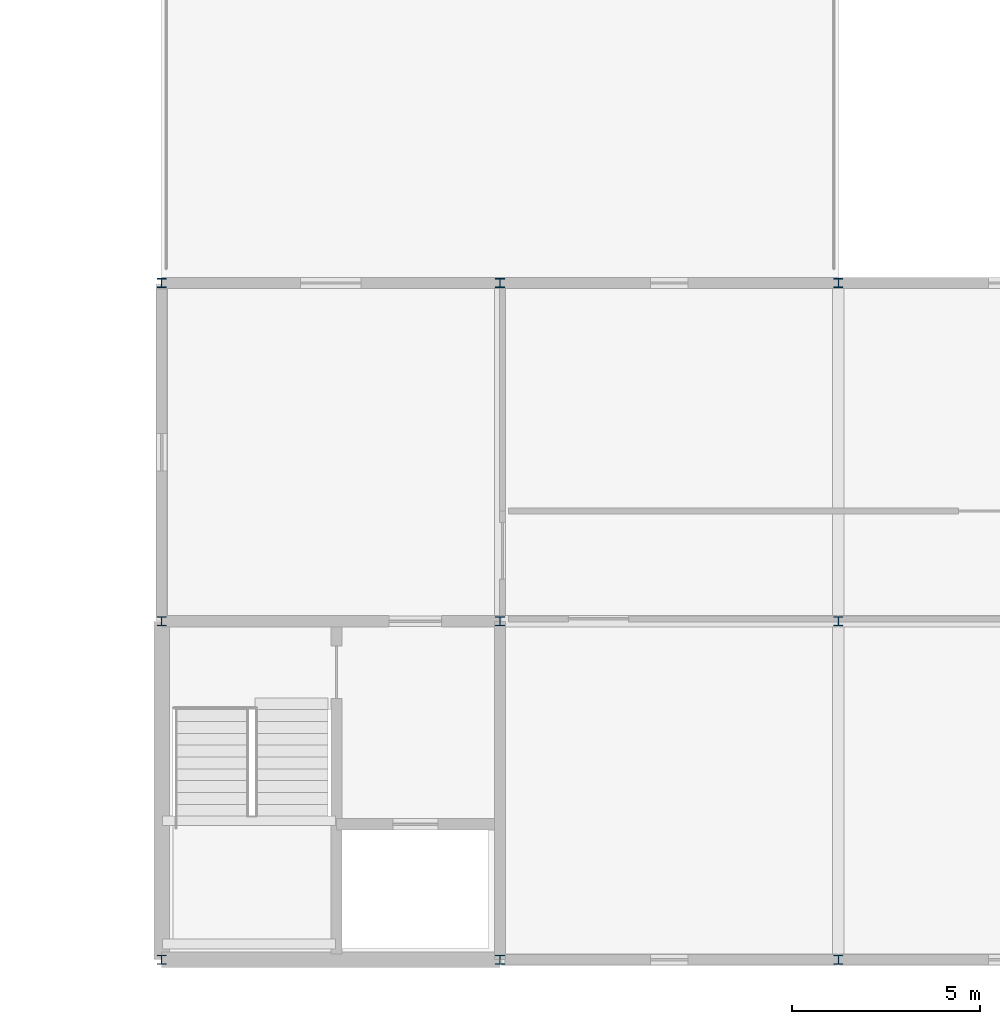
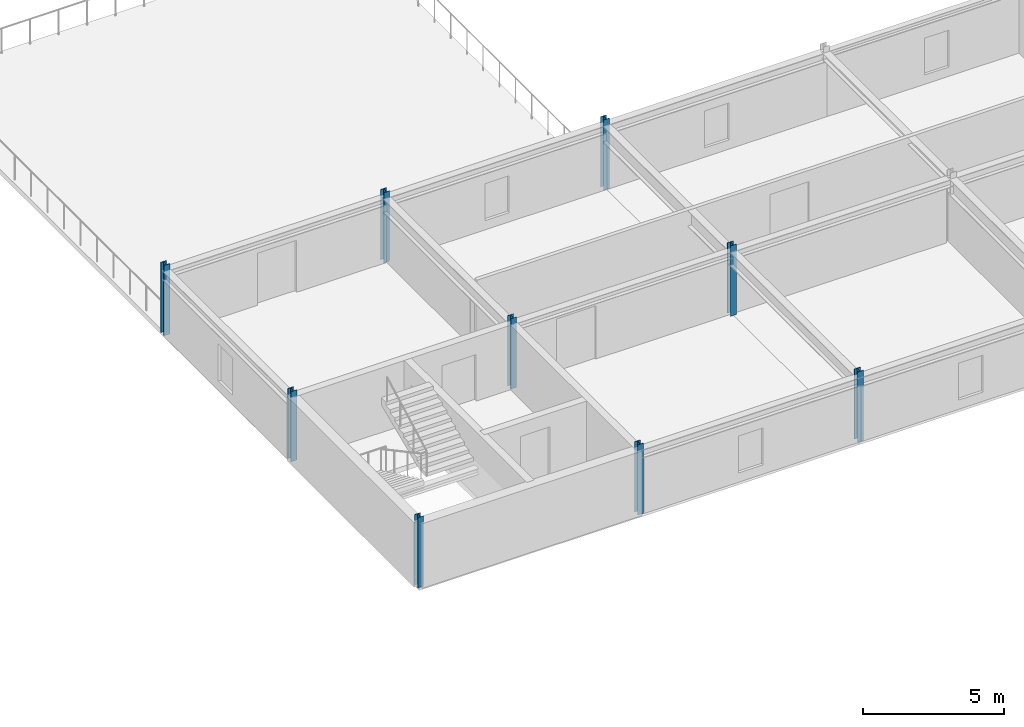
# One storey, part 5 of 37: 9 columns.
"""IFC4 building model written with IfcOpenShell, lengths in metres."""

from ifc_helpers import new_model, si_unit, direction, frame, origin, origin_2d, place, context, subcontext, project, spatial, i_section, extrude, material, material_profile, profile_set, type_object, element, save


model = new_model("IFC4")

# Units and contexts
model_context = context("Model", 3, precision=1e-05, world=origin(), true_north=direction((0.0, 1.0)))
body_context = subcontext(model_context, "Body", "Model", "MODEL_VIEW")
ifc_project = project(units=[si_unit("LENGTHUNIT", "METRE"), si_unit("AREAUNIT", "SQUARE_METRE"), si_unit("VOLUMEUNIT", "CUBIC_METRE"), si_unit("PLANEANGLEUNIT", "RADIAN"), si_unit("MASSUNIT", "GRAM", prefix="KILO")], contexts=[model_context])

# Site, building, storey
site_placement = place(None, origin())
site = spatial("IfcSite", under=ifc_project, at=site_placement, CompositionType="ELEMENT")
building_placement = place(site_placement, origin())
building = spatial("IfcBuilding", under=site, at=building_placement, Name="Palais des Congres Ocreval", CompositionType="ELEMENT")
storey_placement = place(building_placement, frame((0.0, 0.0, 11.52001953125)))
storey = spatial("IfcBuildingStorey", under=building, at=storey_placement, Name="L03", CompositionType="ELEMENT", Elevation=11.52001953125)

# Columns
ifc_material = material(Name="Steel S355", Category="steel")
ifc_material_profile = material_profile(ifc_material, i_section(OverallWidth=0.239990234375, OverallDepth=0.239990234375, WebThickness=0.010009765625, FlangeThickness=0.01708984375, at=origin_2d()), Name="HEB 240")
ifc_profile_set = profile_set([ifc_material_profile], Name="Steel S355")
column_type = type_object("IfcColumnType", Name="Column HEB 240 Steel S355", PredefinedType="COLUMN", material=ifc_profile_set)
for number, where, z_axis, x_axis, name in (
    (1, (108.0, 0.0, 0.0), (0.0, 0.0, 1.0), (1.0, 0.0, 0.0), "Column C14 L03"),
    (2, (108.0, 9.0, 0.0), (0.0, 0.0, 1.0), (1.0, 0.0, 0.0), "Column C14 L03"),
    (3, (108.0, 18.0, 0.0), (0.0, 0.0, 1.0), (1.0, 0.0, 0.0), "Column C14 L03"),
    (4, (117.0, 0.0, 0.0), (0.0, 0.0, 1.0), (1.0, 0.0, 0.0), "Column C14 L03"),
    (5, (117.0, 9.0, 0.0), (0.0, 0.0, 1.0), (1.0, 0.0, 0.0), "Column C14 L03"),
    (6, (117.0, 18.0, 0.0), (0.0, 0.0, 1.0), (1.0, 0.0, 0.0), "Column C14 L03"),
    (7, (126.0, 0.0, 0.0), (0.0, 0.0, 1.0), (1.0, 0.0, 0.0), "Column C14 L03"),
    (8, (126.0, 9.0, 0.0), (0.0, 0.0, 1.0), (1.0, 0.0, 0.0), "Column C14 L03"),
    (9, (126.0, 18.0, 0.0), (0.0, 0.0, 1.0), (1.0, 0.0, 0.0), "Column C14 L03"),
):
    element("IfcColumn", number, at=place(storey_placement, frame(where, z_axis=z_axis, x_axis=x_axis)), inside=storey, type_object=column_type, Name=name, PredefinedType="COLUMN", context=body_context, shape_type="SweptSolid", body=[
        extrude(i_section(OverallWidth=0.239990234375, OverallDepth=0.239990234375, WebThickness=0.010009765625, FlangeThickness=0.01708984375, at=origin_2d()), origin(), (0.0, 0.0, 1.0), 3.0400390625),
    ])

save(model, "model.ifc")
